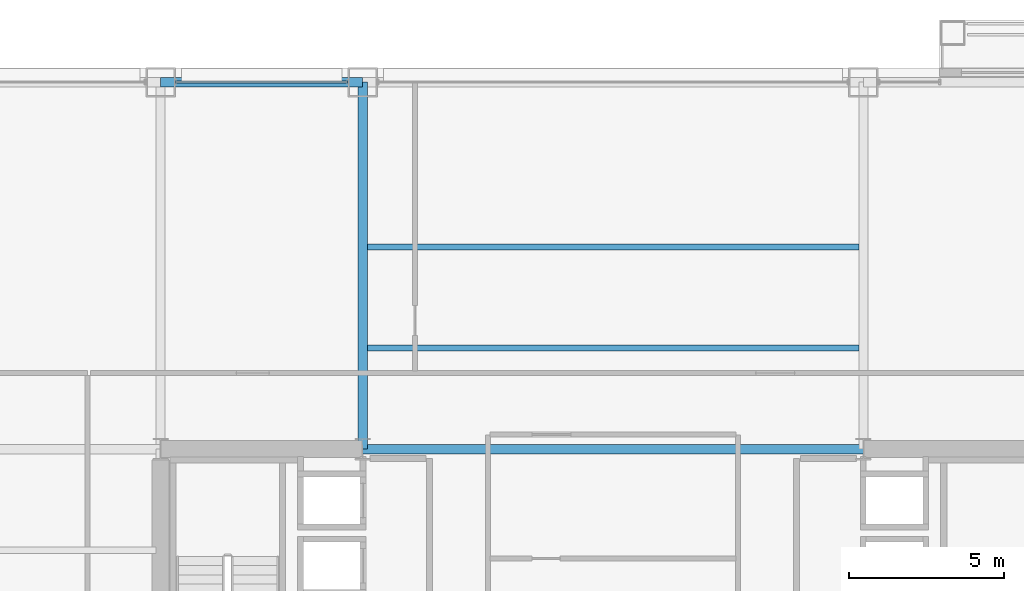
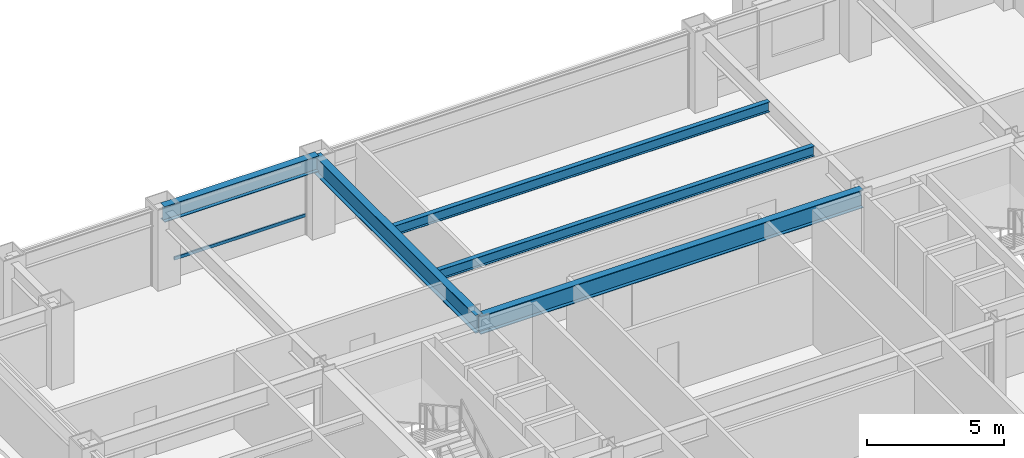
# One storey, part 18 of 31: 5 beams, 1 member, 1 element without a shape of its own.
"""IFC4 building model written with IfcOpenShell, lengths in metres."""

from ifc_helpers import new_model, si_unit, direction, frame, origin, origin_2d, place, context, subcontext, project, spatial, hollow_rectangle, i_section, extrude, material, layer, layer_set, material_profile, profile_set, type_object, element, aggregate, save


model = new_model("IFC4")

# Units and contexts
model_context = context("Model", 3, precision=1e-05, world=origin(), true_north=direction((0.0, 1.0)))
body_context = subcontext(model_context, "Body", "Model", "MODEL_VIEW")
ifc_project = project(units=[si_unit("LENGTHUNIT", "METRE"), si_unit("AREAUNIT", "SQUARE_METRE"), si_unit("VOLUMEUNIT", "CUBIC_METRE"), si_unit("PLANEANGLEUNIT", "RADIAN"), si_unit("MASSUNIT", "GRAM", prefix="KILO")], contexts=[model_context])

# Site, building, storey
site_placement = place(None, origin())
site = spatial("IfcSite", under=ifc_project, at=site_placement, CompositionType="ELEMENT")
building_placement = place(site_placement, origin())
building = spatial("IfcBuilding", under=site, at=building_placement, Name="Brelmoor Portico Tower", CompositionType="ELEMENT")
storey_placement = place(building_placement, frame((0.0, 0.0, 31.199951171875)))
storey = spatial("IfcBuildingStorey", under=building, at=storey_placement, Name="L07", CompositionType="ELEMENT", Elevation=31.199951171875)

# Beams
ifc_material_1 = material(Name="Steel Q355B", Category="steel")
ifc_material_profile_1 = material_profile(ifc_material_1, i_section(OverallWidth=0.199951171875, OverallDepth=0.449951171875, WebThickness=0.009033203125, FlangeThickness=0.013916015625, at=origin_2d()), Name="HN 450x200x9x14")
ifc_profile_set_1 = profile_set([ifc_material_profile_1], Name="Steel Q355B")
beam_type_1 = type_object("IfcBeamType", Name="BM-JS-450", PredefinedType="JOIST", material=ifc_profile_set_1)
for number, where, z_axis, x_axis, name in (
    (1, (-7.89990234375, 13.0, 3.175048828125), (1.0, 0.0, 0.0), (0.0, 1.0, 0.0), "L07 Secondary Composite Joist JS-C03"),
    (2, (-7.89990234375, 16.25, 3.175048828125), (1.0, 0.0, 0.0), (0.0, 1.0, 0.0), "L07 Secondary Composite Joist JS-C04"),
):
    element("IfcBeam", number, at=place(storey_placement, frame(where, z_axis=z_axis, x_axis=x_axis)), inside=storey, type_object=beam_type_1, Name=name, PredefinedType="JOIST", context=body_context, shape_type="SweptSolid", body=[
        extrude(i_section(OverallWidth=0.199951171875, OverallDepth=0.449951171875, WebThickness=0.009033203125, FlangeThickness=0.013916015625, at=origin_2d()), origin(), (0.0, 0.0, 1.0), 15.7998046875),
    ])
ifc_material_profile_2 = material_profile(ifc_material_1, i_section(OverallWidth=0.300048828125, OverallDepth=0.800048828125, WebThickness=0.013916015625, FlangeThickness=0.02587890625, at=origin_2d()), Name="HN 800x300x14x26")
ifc_profile_set_2 = profile_set([ifc_material_profile_2], Name="Steel Q355B")
beam_type_2 = type_object("IfcBeamType", Name="BM-PG-800", PredefinedType="BEAM", material=ifc_profile_set_2)
beam_1_placement = place(storey_placement, frame((-8.050048828125, 9.75, 3.0), z_axis=(0.0, 1.0, 0.0), x_axis=(-1.0, 0.0, 0.0)))
element("IfcBeam", 3, at=beam_1_placement, inside=storey, type_object=beam_type_2, Name="L07 Primary Floor Girder PG-08", PredefinedType="BEAM", context=body_context, shape_type="SweptSolid", body=[
    extrude(i_section(OverallWidth=0.300048828125, OverallDepth=0.800048828125, WebThickness=0.013916015625, FlangeThickness=0.02587890625, at=origin_2d()), origin(), (0.0, 0.0, 1.0), 11.800048828125),
])
beam_2_placement = place(storey_placement, frame((-8.050048828125, 9.75, 3.0), z_axis=(1.0, 0.0, 0.0), x_axis=(0.0, 1.0, 0.0)))
element("IfcBeam", 4, at=beam_2_placement, inside=storey, type_object=beam_type_2, Name="L07 Primary Floor Girder PG-29", PredefinedType="BEAM", context=body_context, shape_type="SweptSolid", body=[
    extrude(i_section(OverallWidth=0.300048828125, OverallDepth=0.800048828125, WebThickness=0.013916015625, FlangeThickness=0.02587890625, at=origin_2d()), origin(), (0.0, 0.0, 1.0), 16.10009765625),
])
ifc_material_profile_3 = material_profile(ifc_material_1, i_section(OverallWidth=0.300048828125, OverallDepth=0.699951171875, WebThickness=0.012939453125, FlangeThickness=0.02392578125, at=origin_2d()), Name="HN 700x300x13x24")
ifc_profile_set_3 = profile_set([ifc_material_profile_3], Name="Steel Q355B")
beam_type_3 = type_object("IfcBeamType", Name="BM-SP-700", PredefinedType="SPANDREL", material=ifc_profile_set_3)
beam_3_placement = place(storey_placement, frame((-14.550048828125, 21.550048828125, 3.050048828125), z_axis=(1.0, 0.0, 0.0), x_axis=(0.0, 1.0, 0.0)))
element("IfcBeam", 5, at=beam_3_placement, inside=storey, type_object=beam_type_3, Name="L07 Perimeter Spandrel Beam SP-11", PredefinedType="SPANDREL", context=body_context, shape_type="SweptSolid", body=[
    extrude(i_section(OverallWidth=0.300048828125, OverallDepth=0.699951171875, WebThickness=0.012939453125, FlangeThickness=0.02392578125, at=origin_2d()), origin(), (0.0, 0.0, 1.0), 6.5),
])

# Curtain wall, member
ifc_material_2 = material(Name="Anodised Aluminium Alloy 6063-T6", Category="aluminium")
ifc_layer = layer(ifc_material_2, 0.179931640625)
ifc_layer_set = layer_set([ifc_layer], Name="Anodised Aluminium Alloy 6063-T6")
curtain_wall_type = type_object("IfcCurtainWallType", Name="CW-TOWER-Z1", PredefinedType="NOTDEFINED", material=ifc_layer_set)
curtain_wall_placement = place(storey_placement, origin())
curtain_wall = element("IfcCurtainWall", 6, at=curtain_wall_placement, inside=storey, type_object=curtain_wall_type, Name="L07 Curtain Wall CW-L07-2L-2", PredefinedType="NOTDEFINED")
ifc_material_profile_4 = material_profile(ifc_material_2, hollow_rectangle(XDim=0.06494140625, YDim=0.139892578125, WallThickness=0.00390625, at=origin_2d()), Name="ALU TRANSOM 65x140")
ifc_profile_set_4 = profile_set([ifc_material_profile_4], Name="Anodised Aluminium Alloy 6063-T6")
member_type = type_object("IfcMemberType", Name="MB-CW-TRAN-140", PredefinedType="USERDEFINED", material=ifc_profile_set_4)
member_placement = place(storey_placement, frame((-14.06494140625, 21.550048828125, 0.85009765625), z_axis=(1.0, 0.0, 0.0), x_axis=(0.0, 1.0, 0.0)))
member = element("IfcMember", 7, at=member_placement, type_object=member_type, Name="CW-L07-2L-2 Transom 1-00", ObjectType="TRANSOM", PredefinedType="USERDEFINED", context=body_context, shape_type="SweptSolid", body=[
    extrude(hollow_rectangle(XDim=0.06494140625, YDim=0.139892578125, WallThickness=0.00390625, at=origin_2d()), origin(), (0.0, 0.0, 1.0), 5.530029296875),
])
aggregate(curtain_wall, [member])

save(model, "model.ifc")
